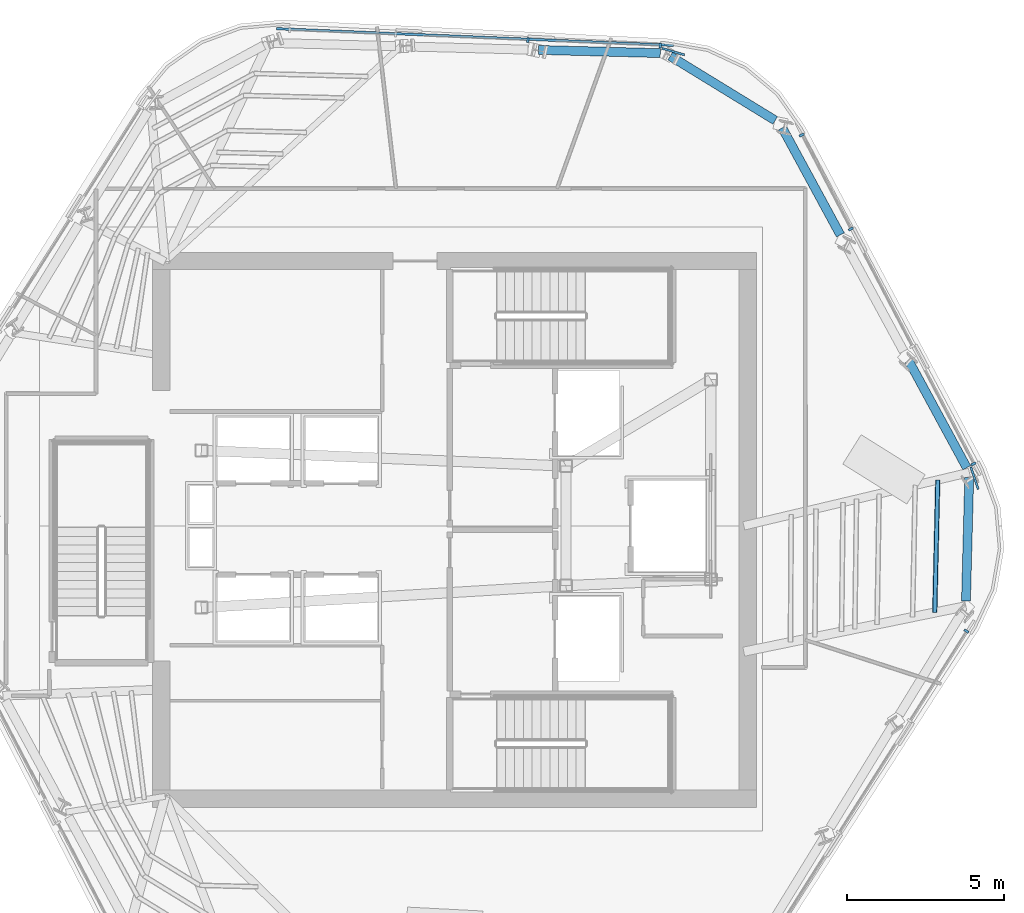
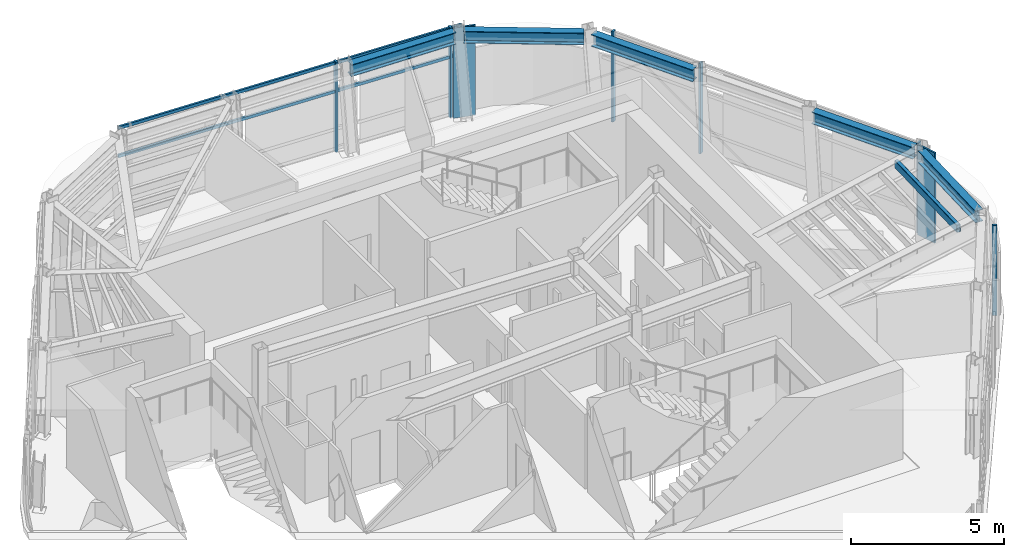
# One storey, part 5 of 13: 11 members, 5 beams, 3 elements without a shape of their own.
"""IFC4 building model written with IfcOpenShell, lengths in metres."""

import ifcopenshell
import ifcopenshell.guid

model = None  # the IFC model being written
_history = None  # IfcOwnerHistory: only IFC2X3 demands one
_inside = {}  # id of a spatial element -> (the spatial element, [elements in it])
_under = {}  # id of a project, library or spatial element -> (it, [spatial elements below it])
_declared = {}  # id of a project -> (the project, [libraries it declares])
_typed = {}  # id of a type object -> (the type object, [elements of that type])
_made_of = {}  # id of a material, layer set ... -> (it, [elements and type objects made of it])


def new_model(schema):
    """Start an empty IFC model of exactly this schema.

    Asked for "IFC4X3", IfcOpenShell would pick the latest addendum, in which some entities
    have other attributes; the version numbers below select the first issue.
    IFC2X3 requires an IfcOwnerHistory on every rooted entity: one is made here for all.
    """
    global model, _history
    if schema == "IFC4X3":
        model = ifcopenshell.file(schema_version=(4, 3, 0, 0))
    else:
        model = ifcopenshell.file(schema=schema)
    _inside.clear()
    _under.clear()
    _declared.clear()
    _typed.clear()
    _made_of.clear()
    _history = None
    if model.schema == "IFC2X3":
        org = make("IfcOrganization", Name="unknown")
        user = make(
            "IfcPersonAndOrganization",
            ThePerson=make("IfcPerson", FamilyName="unknown"),
            TheOrganization=org,
        )
        app = make(
            "IfcApplication",
            ApplicationDeveloper=org,
            Version="unknown",
            ApplicationFullName="unknown",
            ApplicationIdentifier="unknown",
        )
        _history = make(
            "IfcOwnerHistory",
            OwningUser=user,
            OwningApplication=app,
            ChangeAction="ADDED",
            CreationDate=0,
        )
    return model


def make(cls, **values):
    """One entity of the class cls with the attributes given. An attribute that is None is left unset."""
    return model.create_entity(
        cls, **{name: value for name, value in values.items() if value is not None}
    )


def rooted(cls, **values):
    """An entity with a GlobalId (a new one), such as an element, a storey or a relation."""
    return make(cls, GlobalId=ifcopenshell.guid.new(), OwnerHistory=_history, **values)


def si_unit(unit_type, name, prefix=None):
    """IfcSIUnit, for example si_unit("LENGTHUNIT", "METRE", prefix="MILLI")."""
    return make("IfcSIUnit", UnitType=unit_type, Prefix=prefix, Name=name)


def assignment(units):
    """IfcUnitAssignment: the units of a project."""
    return None if units is None else make("IfcUnitAssignment", Units=units)


def point(xyz):
    """IfcCartesianPoint."""
    return None if xyz is None else make("IfcCartesianPoint", Coordinates=xyz)


def direction(xyz):
    """IfcDirection."""
    return None if xyz is None else make("IfcDirection", DirectionRatios=xyz)


def frame(location, z_axis=None, x_axis=None):
    """IfcAxis2Placement3D, a coordinate frame: its origin and axes. An axis left out is left unset."""
    return make(
        "IfcAxis2Placement3D",
        Location=point(location),
        Axis=direction(z_axis),
        RefDirection=direction(x_axis),
    )


def frame_2d(location, x_axis=None):
    """IfcAxis2Placement2D, a coordinate frame in the plane: its origin and x axis."""
    return make(
        "IfcAxis2Placement2D", Location=point(location), RefDirection=direction(x_axis)
    )


def origin():
    """The frame at (0, 0, 0) with its axes left unset."""
    return frame((0.0, 0.0, 0.0))


def origin_2d():
    """The frame at (0, 0) in the plane with its x axis left unset."""
    return frame_2d((0.0, 0.0))


def place(relative_to, where):
    """IfcLocalPlacement: puts the frame where relative to a parent placement (None: the world)."""
    return make(
        "IfcLocalPlacement", PlacementRelTo=relative_to, RelativePlacement=where
    )


def context(
    kind, dimensions, precision=None, world=None, true_north=None, identifier=None
):
    """IfcGeometricRepresentationContext, for example the 3D "Model" context."""
    return make(
        "IfcGeometricRepresentationContext",
        ContextIdentifier=identifier,
        ContextType=kind,
        CoordinateSpaceDimension=dimensions,
        Precision=precision,
        WorldCoordinateSystem=world,
        TrueNorth=true_north,
    )


def subcontext(parent, identifier, kind, view, scale=None):
    """IfcGeometricRepresentationSubContext, for example "Body" below "Model"."""
    return make(
        "IfcGeometricRepresentationSubContext",
        ContextIdentifier=identifier,
        ContextType=kind,
        ParentContext=parent,
        TargetScale=scale,
        TargetView=view,
    )


def project(units=None, contexts=None):
    """IfcProject with its units and contexts."""
    return rooted(
        "IfcProject",
        Name="project",
        RepresentationContexts=contexts,
        UnitsInContext=assignment(units),
    )


def spatial(cls, under=None, at=None, **own):
    """A site, building, storey or space (cls), placed at a placement, below another one or the project."""
    s = rooted(cls, ObjectPlacement=at, **own)
    if under is not None:
        _under.setdefault(under.id(), (under, []))[1].append(s)
    return s


def profile(cls, at=None, kind="AREA", **sizes):
    """A parametric profile (cls). Its sizes go by their IFC names, for example OverallWidth=200.0."""
    return make(cls, ProfileType=kind, Position=at, **sizes)


def rectangle(**sizes):
    """IfcRectangleProfileDef."""
    return profile("IfcRectangleProfileDef", **sizes)


def hollow_rectangle(**sizes):
    """IfcRectangleHollowProfileDef."""
    return profile("IfcRectangleHollowProfileDef", **sizes)


def i_section(**sizes):
    """IfcIShapeProfileDef."""
    return profile("IfcIShapeProfileDef", **sizes)


def extrude(swept, where, along, depth):
    """IfcExtrudedAreaSolid: the profile swept, set in the frame where, extruded along a direction by depth."""
    return make(
        "IfcExtrudedAreaSolid",
        SweptArea=swept,
        Position=where,
        ExtrudedDirection=direction(along),
        Depth=depth,
    )


def shape(context_of_items, identifier, shape_type, items):
    """IfcShapeRepresentation: the items that make up one representation, for example the "Body"."""
    return make(
        "IfcShapeRepresentation",
        ContextOfItems=context_of_items,
        RepresentationIdentifier=identifier,
        RepresentationType=shape_type,
        Items=items,
    )


def material(Name=None, Category=None):
    """IfcMaterial."""
    return make("IfcMaterial", Name=Name, Category=Category)


def layer(
    of_material, thickness, ventilated=None, Name=None, Category=None, Priority=None
):
    """IfcMaterialLayer: one layer of a wall or slab, of a material (None: an air gap)."""
    return make(
        "IfcMaterialLayer",
        Material=of_material,
        LayerThickness=thickness,
        IsVentilated=ventilated,
        Name=Name,
        Category=Category,
        Priority=Priority,
    )


def layer_set(layers, Name=None):
    """IfcMaterialLayerSet."""
    return make("IfcMaterialLayerSet", MaterialLayers=layers, LayerSetName=Name)


def material_profile(
    of_material, cross_section, Name=None, Category=None, Priority=None
):
    """IfcMaterialProfile: a cross section and its material."""
    return make(
        "IfcMaterialProfile",
        Name=Name,
        Material=of_material,
        Profile=cross_section,
        Priority=Priority,
        Category=Category,
    )


def profile_set(profiles, Name=None, composite=None):
    """IfcMaterialProfileSet."""
    return make(
        "IfcMaterialProfileSet",
        Name=Name,
        MaterialProfiles=profiles,
        CompositeProfile=composite,
    )


def made_of(thing, what):
    """Note that an element or type object is made of a material, layer set ...; save() writes the relation."""
    if what is not None:
        _made_of.setdefault(what.id(), (what, []))[1].append(thing)
    return thing


def type_object(cls, material=None, **own):
    """A type object (cls), such as IfcWallType, which elements share."""
    return made_of(rooted(cls, **own), material)


def element(
    cls,
    number,
    at=None,
    inside=None,
    cuts=None,
    type_object=None,
    material=None,
    context=None,
    identifier="Body",
    shape_type=None,
    held_by="IfcProductDefinitionShape",
    body=None,
    shapes=None,
    **own,
):
    """One element of the class cls, such as IfcWall. Its Tag is "e" and its number.

    at: its placement. inside: the storey or other place that contains it. cuts: it is an
    opening in that element (IfcRelVoidsElement). A single representation is given by context,
    identifier, shape_type and body (its items); several are given by shapes. held_by: the class
    of the entity that holds the representations. save() writes the other relations.
    """
    e = rooted(cls, Tag="e%d" % number, ObjectPlacement=at, **own)
    if body is not None:
        shapes = [shape(context, identifier, shape_type, body)]
    if shapes is not None:
        e.Representation = make(held_by, Representations=shapes)
    if inside is not None:
        _inside.setdefault(inside.id(), (inside, []))[1].append(e)
    if cuts is not None:
        rooted(
            "IfcRelVoidsElement", RelatingBuildingElement=cuts, RelatedOpeningElement=e
        )
    if type_object is not None:
        _typed.setdefault(type_object.id(), (type_object, []))[1].append(e)
    return made_of(e, material)


def aggregate(whole, parts):
    """IfcRelAggregates: a whole, such as a stair, and the parts it consists of."""
    return rooted("IfcRelAggregates", RelatingObject=whole, RelatedObjects=parts)


def save(model, path):
    """Write the relations noted so far, then the file.

    IfcRelAggregates (storeys below a building ...), IfcRelContainedInSpatialStructure (elements
    in a storey), IfcRelDefinesByType, IfcRelAssociatesMaterial and IfcRelDeclares: one each for
    every whole, place, type object, material and project.
    """
    for whole, parts in _under.values():
        aggregate(whole, parts)
    for where, things in _inside.values():
        rooted(
            "IfcRelContainedInSpatialStructure",
            RelatedElements=things,
            RelatingStructure=where,
        )
    for kind, things in _typed.values():
        rooted("IfcRelDefinesByType", RelatedObjects=things, RelatingType=kind)
    for what, things in _made_of.values():
        rooted("IfcRelAssociatesMaterial", RelatedObjects=things, RelatingMaterial=what)
    for by, libraries in _declared.values():
        rooted("IfcRelDeclares", RelatingContext=by, RelatedDefinitions=libraries)
    model.write(path)


model = new_model("IFC4")

# Units and contexts
model_context = context("Model", 3, precision=1e-05, world=origin(), true_north=direction((0.0, 1.0)))
body_context = subcontext(model_context, "Body", "Model", "MODEL_VIEW")
ifc_project = project(units=[si_unit("LENGTHUNIT", "METRE"), si_unit("AREAUNIT", "SQUARE_METRE"), si_unit("VOLUMEUNIT", "CUBIC_METRE"), si_unit("PLANEANGLEUNIT", "RADIAN"), si_unit("MASSUNIT", "GRAM", prefix="KILO")], contexts=[model_context])

# Site, building, storey
site_placement = place(None, origin())
site = spatial("IfcSite", under=ifc_project, at=site_placement, CompositionType="ELEMENT")
building_placement = place(site_placement, origin())
building = spatial("IfcBuilding", under=site, at=building_placement, Name="Valkerne Bourse Tower", CompositionType="ELEMENT")
storey_placement = place(building_placement, frame((0.0, 0.0, 273.60009765625)))
storey = spatial("IfcBuildingStorey", under=building, at=storey_placement, Name="L69", CompositionType="ELEMENT", Elevation=273.60009765625)

# Beams
ifc_material_1 = material(Name="Steel ASTM A992", Category="steel")
ifc_material_profile_1 = material_profile(ifc_material_1, i_section(OverallWidth=0.284423828125, OverallDepth=0.47509765625, WebThickness=0.014892578125, FlangeThickness=0.02392578125, FilletRadius=0.017822265625, at=origin_2d()), Name="W18X106")
ifc_profile_set_1 = profile_set([ifc_material_profile_1], Name="Steel ASTM A992")
beam_type = type_object("IfcBeamType", Name="BM-W18X106", PredefinedType="BEAM", material=ifc_profile_set_1)
beam_1_placement = place(storey_placement, frame((53.34375, 42.03271484375, 3.3623046875), z_axis=(-0.999657618241, 0.026165746551, 0.0), x_axis=(-0.026165746551, -0.999657618241, 0.0)))
element("IfcBeam", 1, at=beam_1_placement, inside=storey, type_object=beam_type, Name="L69 Hexagonal Spandrel Ring Beam 00", PredefinedType="BEAM", context=body_context, shape_type="SweptSolid", body=[
    extrude(i_section(OverallWidth=0.284423828125, OverallDepth=0.47509765625, WebThickness=0.014892578125, FlangeThickness=0.02392578125, FilletRadius=0.017822265625, at=origin_2d()), origin(), (0.0, 0.0, 1.0), 3.8720703125),
])
beam_2_placement = place(storey_placement, frame((63.064697265625, 24.615478515625, 3.3623046875), z_axis=(0.026124679853, 0.999658692306, 0.0), x_axis=(-0.999658692306, 0.026124679853, 0.0)))
element("IfcBeam", 2, at=beam_2_placement, inside=storey, type_object=beam_type, Name="L69 Hexagonal Spandrel Ring Beam 19", PredefinedType="BEAM", context=body_context, shape_type="SweptSolid", body=[
    extrude(i_section(OverallWidth=0.284423828125, OverallDepth=0.47509765625, WebThickness=0.014892578125, FlangeThickness=0.02392578125, FilletRadius=0.017822265625, at=origin_2d()), origin(), (0.0, 0.0, 1.0), 3.91552734375),
])
for number, where, z_axis, x_axis, name in (
    (3, (63.090576171875, 28.84912109375, 3.3623046875), (-0.477172563431, 0.878809618011, 0.0), (-0.878809618011, -0.477172563431, 0.0), "L69 Hexagonal Spandrel Ring Beam 20"),
    (4, (59.07080078125, 36.25244140625, 3.3623046875), (-0.477123866282, 0.878836057649, 0.0), (-0.878836057649, -0.477123866282, 0.0), "L69 Hexagonal Spandrel Ring Beam 22"),
):
    element("IfcBeam", number, at=place(storey_placement, frame(where, z_axis=z_axis, x_axis=x_axis)), inside=storey, type_object=beam_type, Name=name, PredefinedType="BEAM", context=body_context, shape_type="SweptSolid", body=[
        extrude(i_section(OverallWidth=0.284423828125, OverallDepth=0.47509765625, WebThickness=0.014892578125, FlangeThickness=0.02392578125, FilletRadius=0.017822265625, at=origin_2d()), origin(), (0.0, 0.0, 1.0), 3.8720703125),
    ])
beam_3_placement = place(storey_placement, frame((56.997314453125, 39.893310546875, 3.3623046875), z_axis=(-0.852613797296, 0.522541589407, 0.0), x_axis=(-0.522541589407, -0.852613797296, 0.0)))
element("IfcBeam", 5, at=beam_3_placement, inside=storey, type_object=beam_type, Name="L69 Hexagonal Spandrel Ring Beam 23", PredefinedType="BEAM", context=body_context, shape_type="SweptSolid", body=[
    extrude(i_section(OverallWidth=0.284423828125, OverallDepth=0.47509765625, WebThickness=0.014892578125, FlangeThickness=0.02392578125, FilletRadius=0.017822265625, at=origin_2d()), origin(), (0.0, 0.0, 1.0), 3.915771484375),
])

# Curtain wall, members
ifc_material_2 = material(Name="Aluminium AA 6063-T6", Category="aluminium")
ifc_layer = layer(ifc_material_2, 0.2451171875)
ifc_layer_set = layer_set([ifc_layer], Name="Aluminium AA 6063-T6")
curtain_wall_type = type_object("IfcCurtainWallType", Name="CW-05", PredefinedType="NOTDEFINED", material=ifc_layer_set)
curtain_wall_1_placement = place(storey_placement, origin())
curtain_wall_1 = element("IfcCurtainWall", 6, at=curtain_wall_1_placement, inside=storey, type_object=curtain_wall_type, Name="L69 Hexagonal Stick Curtain Wall Face 1", PredefinedType="NOTDEFINED")
ifc_material_profile_2 = material_profile(ifc_material_2, rectangle(XDim=0.074951171875, YDim=0.159912109375, at=origin_2d()), Name="CWM-75X160")
ifc_profile_set_2 = profile_set([ifc_material_profile_2], Name="Aluminium AA 6063-T6")
member_type_1 = type_object("IfcMemberType", Name="CW-MUL-160X75", PredefinedType="MULLION", material=ifc_profile_set_2)
member_1_placement = place(storey_placement, frame((53.343505859375, 42.278076171875, 0.0), z_axis=(0.0, 0.0, 1.0), x_axis=(-0.999122631709, 0.041880386903, 0.0)))
member_1 = element("IfcMember", 7, at=member_1_placement, type_object=member_type_1, Name="CW-L69-F1 Jamb Mullion 00A", PredefinedType="MULLION", context=body_context, shape_type="SweptSolid", body=[
    extrude(rectangle(XDim=0.074951171875, YDim=0.159912109375, at=origin_2d()), origin(), (0.0, 0.0, 1.0), 3.599853515625),
])
member_2_placement = place(storey_placement, frame((49.13525390625, 42.45458984375, 0.0), z_axis=(0.0, 0.0, 1.0), x_axis=(-0.999122631709, 0.041880386903, 0.0)))
member_2 = element("IfcMember", 8, at=member_2_placement, type_object=member_type_1, Name="CW-L69-F1 Jamb Mullion 01A", PredefinedType="MULLION", context=body_context, shape_type="SweptSolid", body=[
    extrude(rectangle(XDim=0.074951171875, YDim=0.159912109375, at=origin_2d()), origin(), (0.0, 0.0, 1.0), 3.599853515625),
])

# Curtain wall, member
curtain_wall_2_placement = place(storey_placement, origin())
curtain_wall_2 = element("IfcCurtainWall", 9, at=curtain_wall_2_placement, inside=storey, type_object=curtain_wall_type, Name="L69 Hexagonal Stick Curtain Wall Face 5", PredefinedType="NOTDEFINED")
member_3_placement = place(storey_placement, frame((63.080078125, 23.65380859375, 0.0), z_axis=(0.0, 0.0, 1.0), x_axis=(0.535827369105, 0.84432756115, 0.0)))
member_3 = element("IfcMember", 10, at=member_3_placement, type_object=member_type_1, Name="CW-L69-F5 Jamb Mullion 02B", PredefinedType="MULLION", context=body_context, shape_type="SweptSolid", body=[
    extrude(rectangle(XDim=0.074951171875, YDim=0.159912109375, at=origin_2d()), origin(), (0.0, 0.0, 1.0), 3.599853515625),
])
aggregate(curtain_wall_2, [member_3])

# Curtain wall, members
curtain_wall_3_placement = place(storey_placement, origin())
curtain_wall_3 = element("IfcCurtainWall", 11, at=curtain_wall_3_placement, inside=storey, type_object=curtain_wall_type, Name="L69 Hexagonal Stick Curtain Wall Face 6", PredefinedType="NOTDEFINED")
member_4_placement = place(storey_placement, frame((63.302978515625, 28.97216796875, 0.0), z_axis=(0.0, 0.0, 1.0), x_axis=(-0.463294468527, 0.886204398225, 0.0)))
member_4 = element("IfcMember", 12, at=member_4_placement, type_object=member_type_1, Name="CW-L69-F6 Jamb Mullion 00A", PredefinedType="MULLION", context=body_context, shape_type="SweptSolid", body=[
    extrude(rectangle(XDim=0.074951171875, YDim=0.159912109375, at=origin_2d()), origin(), (0.0, 0.0, 1.0), 3.599853515625),
])
member_5_placement = place(storey_placement, frame((59.400146484375, 36.4375, 0.0), z_axis=(0.0, 0.0, 1.0), x_axis=(-0.463294468527, 0.886204398225, 0.0)))
member_5 = element("IfcMember", 13, at=member_5_placement, type_object=member_type_1, Name="CW-L69-F6 Jamb Mullion 02A", PredefinedType="MULLION", context=body_context, shape_type="SweptSolid", body=[
    extrude(rectangle(XDim=0.074951171875, YDim=0.159912109375, at=origin_2d()), origin(), (0.0, 0.0, 1.0), 3.599853515625),
])
member_6_placement = place(storey_placement, frame((57.837890625, 39.42578125, 0.0), z_axis=(0.0, 0.0, 1.0), x_axis=(-0.463294468527, 0.886204398225, 0.0)))
member_6 = element("IfcMember", 14, at=member_6_placement, type_object=member_type_1, Name="CW-L69-F6 Jamb Mullion 02B", PredefinedType="MULLION", context=body_context, shape_type="SweptSolid", body=[
    extrude(rectangle(XDim=0.074951171875, YDim=0.159912109375, at=origin_2d()), origin(), (0.0, 0.0, 1.0), 3.599853515625),
])
aggregate(curtain_wall_3, [member_4, member_5, member_6])

# Member
ifc_material_profile_3 = material_profile(ifc_material_2, rectangle(XDim=0.074951171875, YDim=0.1201171875, at=origin_2d()), Name="CWT-75X120")
ifc_profile_set_3 = profile_set([ifc_material_profile_3], Name="Aluminium AA 6063-T6")
member_type_2 = type_object("IfcMemberType", Name="CW-TRN-120X75", PredefinedType="USERDEFINED", material=ifc_profile_set_3)
member_7_placement = place(storey_placement, frame((53.763916015625, 42.280517578125, 2.39990234375), z_axis=(-0.999122290866, 0.041888517464, 0.0), x_axis=(-0.041888517464, -0.999122290866, 0.0)))
member_7 = element("IfcMember", 15, at=member_7_placement, type_object=member_type_2, Name="CW-L69-F1 Continuous Face Transom 3", ObjectType="TRANSOM", PredefinedType="USERDEFINED", context=body_context, shape_type="SweptSolid", body=[
    extrude(rectangle(XDim=0.074951171875, YDim=0.1201171875, at=origin_2d()), origin(), (0.0, 0.0, 1.0), 12.6357421875),
])

member_8_placement = place(storey_placement, frame((53.763916015625, 42.280517578125, 3.52001953125), z_axis=(-0.999122290866, 0.041888517464, 0.0), x_axis=(-0.041888517464, -0.999122290866, 0.0)))
member_8 = element("IfcMember", 16, at=member_8_placement, type_object=member_type_2, Name="CW-L69-F1 Continuous Face Transom 4", ObjectType="TRANSOM", PredefinedType="USERDEFINED", context=body_context, shape_type="SweptSolid", body=[
    extrude(rectangle(XDim=0.074951171875, YDim=0.1201171875, at=origin_2d()), origin(), (0.0, 0.0, 1.0), 12.6357421875),
])

aggregate(curtain_wall_1, [member_7, member_8, member_1, member_2])

# Members
ifc_material_3 = material(Name="Bronze Anodised Aluminium AA 6063-T6", Category="aluminium")
ifc_material_profile_4 = material_profile(ifc_material_3, rectangle(XDim=0.06494140625, YDim=0.75, at=origin_2d()), Name="FIN-65X750")
ifc_profile_set_4 = profile_set([ifc_material_profile_4], Name="Bronze Anodised Aluminium AA 6063-T6")
member_type_3 = type_object("IfcMemberType", Name="FIN-SOLAR-650", PredefinedType="USERDEFINED", material=ifc_profile_set_4)
for number, where, z_axis, x_axis, name in (
    (17, (53.755615234375, 42.080810546875, 0.00390625), (0.0, 0.0, 1.0), (0.27795820108, 0.960593170105, 0.0), "L69 Bronze Anodised Solar Fin F1-00"),
    (18, (63.338134765625, 28.5166015625, 0.00390625), (0.0, 0.0, 1.0), (0.948894388862, 0.315593787622, 0.0), "L69 Bronze Anodised Solar Fin F6-00"),
):
    element("IfcMember", number, at=place(storey_placement, frame(where, z_axis=z_axis, x_axis=x_axis)), inside=storey, type_object=member_type_3, Name=name, ObjectType="SOLAR_FIN", PredefinedType="USERDEFINED", context=body_context, shape_type="SweptSolid", body=[
        extrude(rectangle(XDim=0.06494140625, YDim=0.75, at=origin_2d()), origin(), (0.0, 0.0, 1.0), 3.592041015625),
    ])
ifc_material_4 = material(Name="Steel ASTM A500 Grade C", Category="steel")
ifc_material_profile_5 = material_profile(ifc_material_4, hollow_rectangle(XDim=0.14990234375, YDim=0.300048828125, WallThickness=0.012451171875, OuterFilletRadius=0.02490234375, at=origin_2d()), Name="HSS300X150X12.5")
ifc_profile_set_5 = profile_set([ifc_material_profile_5], Name="Steel ASTM A500 Grade C")
member_type_4 = type_object("IfcMemberType", Name="MBR-HSS300X150X12.5", PredefinedType="PURLIN", material=ifc_profile_set_5)
member_9_placement = place(storey_placement, frame((62.07177734375, 24.243408203125, 3.43994140625), z_axis=(0.022680662202, 0.999742760695, 0.0), x_axis=(-0.999742760695, 0.022680662202, 0.0)))
element("IfcMember", 19, at=member_9_placement, inside=storey, type_object=member_type_4, Name="L69 Secondary Composite Floor Purlin T-19", PredefinedType="PURLIN", context=body_context, shape_type="SweptSolid", body=[
    extrude(hollow_rectangle(XDim=0.14990234375, YDim=0.300048828125, WallThickness=0.012451171875, OuterFilletRadius=0.02490234375, at=origin_2d()), origin(), (0.0, 0.0, 1.0), 4.219482421875),
])

save(model, "model.ifc")
